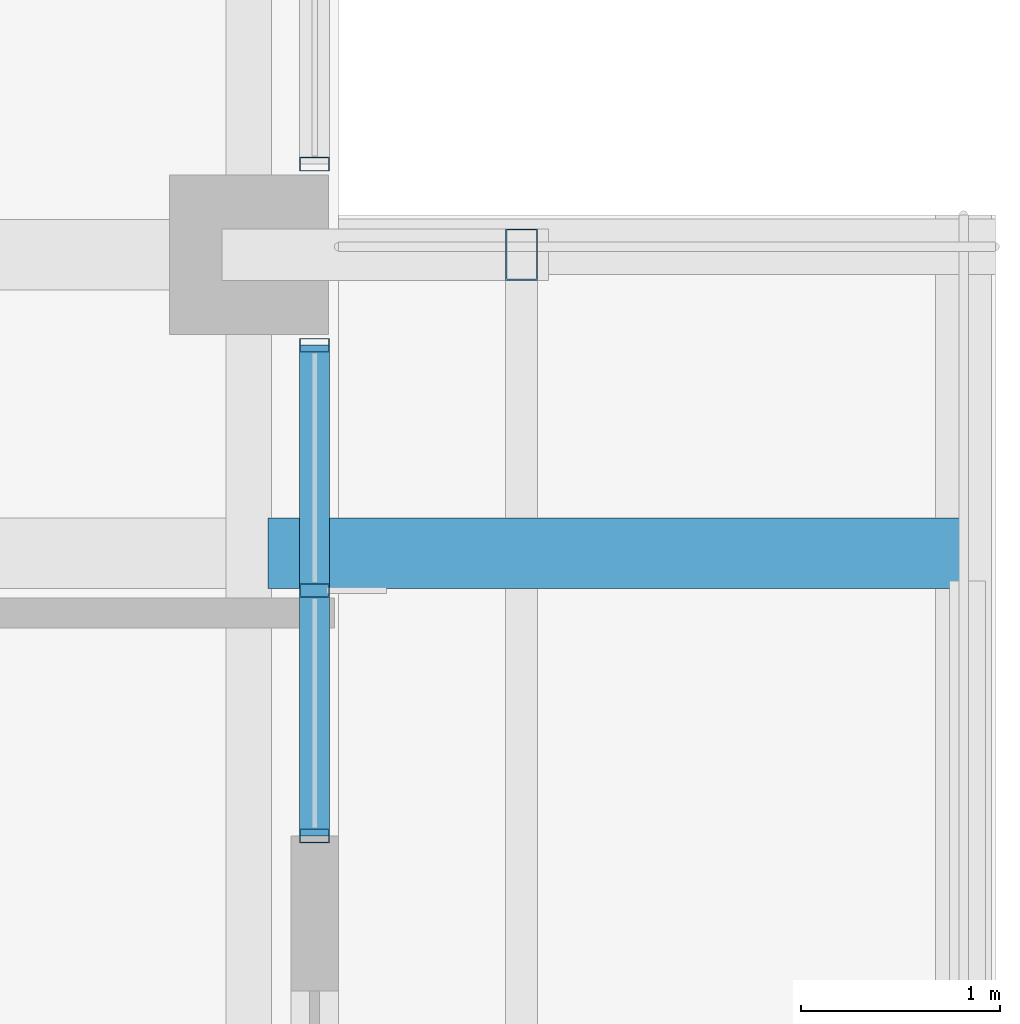
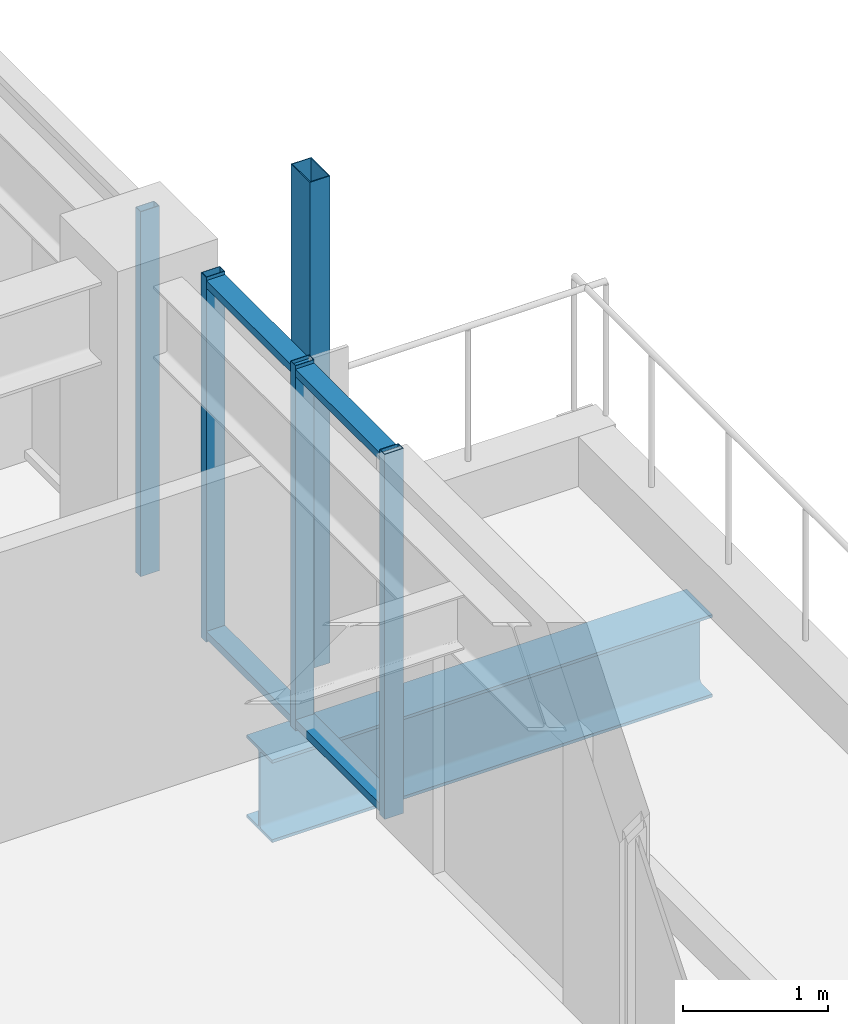
# One storey, part 16 of 38: 7 members, 1 beam, 2 elements without a shape of their own.
"""IFC4 building model written with IfcOpenShell, lengths in metres."""

from ifc_helpers import new_model, si_unit, direction, frame, origin, origin_2d, place, context, subcontext, project, spatial, hollow_rectangle, i_section, extrude, material, material_profile, profile_set, type_object, element, aggregate, save


model = new_model("IFC4")

# Units and contexts
model_context = context("Model", 3, precision=1e-05, world=origin(), true_north=direction((0.0, 1.0)))
body_context = subcontext(model_context, "Body", "Model", "MODEL_VIEW")
ifc_project = project(units=[si_unit("LENGTHUNIT", "METRE"), si_unit("AREAUNIT", "SQUARE_METRE"), si_unit("VOLUMEUNIT", "CUBIC_METRE"), si_unit("PLANEANGLEUNIT", "RADIAN"), si_unit("MASSUNIT", "GRAM", prefix="KILO")], contexts=[model_context])

# Site, building, storey
site_placement = place(None, origin())
site = spatial("IfcSite", under=ifc_project, at=site_placement, CompositionType="ELEMENT")
building_placement = place(site_placement, origin())
building = spatial("IfcBuilding", under=site, at=building_placement, Name="Kolvaren Belvedere", CompositionType="ELEMENT")
storey_placement = place(building_placement, frame((0.0, 0.0, 206.39990234375)))
storey = spatial("IfcBuildingStorey", under=building, at=storey_placement, Name="L60", CompositionType="ELEMENT", Elevation=206.39990234375)

# Beam
ifc_material_1 = material(Name="Structural steel ASTM A992 Grade 50", Category="steel")
ifc_material_profile_1 = material_profile(ifc_material_1, i_section(OverallWidth=0.35498046875, OverallDepth=0.696044921875, WebThickness=0.015380859375, FlangeThickness=0.02490234375, FilletRadius=0.02197265625, at=origin_2d()), Name="W27X146")
ifc_profile_set_1 = profile_set([ifc_material_profile_1], Name="Structural steel ASTM A992 Grade 50")
beam_type = type_object("IfcBeamType", Name="BM-CANT-BAL", PredefinedType="BEAM", material=ifc_profile_set_1)
beam_placement = place(storey_placement, frame((20.044921875, 3.10009765625, -0.56787109375), z_axis=(1.0, 0.0, 0.0), x_axis=(0.0, 1.0, 0.0)))
element("IfcBeam", 1, at=beam_placement, inside=storey, type_object=beam_type, Name="L60 Planted Balcony Cantilever SPIRAL-09-E-2", PredefinedType="BEAM", context=body_context, shape_type="SweptSolid", body=[
    extrude(i_section(OverallWidth=0.35498046875, OverallDepth=0.696044921875, WebThickness=0.015380859375, FlangeThickness=0.02490234375, FilletRadius=0.02197265625, at=origin_2d()), origin(), (0.0, 0.0, 1.0), 3.51513671875),
])

# Curtain wall, member
ifc_material_2 = material(Name="Anodised pale-metal aluminium AA 6063-T6", Category="aluminium")
curtain_wall_type = type_object("IfcCurtainWallType", Name="CW-Z5-HIGH", PredefinedType="NOTDEFINED", material=ifc_material_2)
curtain_wall_1_placement = place(storey_placement, origin())
curtain_wall_1 = element("IfcCurtainWall", 2, at=curtain_wall_1_placement, inside=storey, type_object=curtain_wall_type, Name="L60 Unitised Curtain Wall FCW-L60-E1-B1", PredefinedType="NOTDEFINED")
ifc_material_3 = material(Name="Anodised pale-metal aluminium AA 6063-T6", Category="aluminium")
ifc_material_profile_2 = material_profile(ifc_material_3, hollow_rectangle(XDim=0.070068359375, YDim=0.14990234375, WallThickness=0.004150390625, at=origin_2d()), Name="ALU-MUL-150X70")
ifc_profile_set_2 = profile_set([ifc_material_profile_2], Name="Anodised pale-metal aluminium AA 6063-T6")
member_type_1 = type_object("IfcMemberType", Name="CW-MUL-150", PredefinedType="MULLION", material=ifc_profile_set_2)
member_1_placement = place(storey_placement, frame((20.280029296875, 5.054931640625, 0.0), z_axis=(0.0, 0.0, 1.0), x_axis=(0.0, 1.0, 0.0)))
member_1 = element("IfcMember", 3, at=member_1_placement, type_object=member_type_1, Name="FCW-L60-E1-B1 Unitised Mullion 3", PredefinedType="MULLION", context=body_context, shape_type="SweptSolid", body=[
    extrude(hollow_rectangle(XDim=0.070068359375, YDim=0.14990234375, WallThickness=0.004150390625, at=origin_2d()), origin(), (0.0, 0.0, 1.0), 3.080078125),
])
aggregate(curtain_wall_1, [member_1])

# Curtain wall, members
curtain_wall_2_placement = place(storey_placement, origin())
curtain_wall_2 = element("IfcCurtainWall", 4, at=curtain_wall_2_placement, inside=storey, type_object=curtain_wall_type, Name="L60 Unitised Curtain Wall FCW-L60-E1-B2", PredefinedType="NOTDEFINED")
member_2_placement = place(storey_placement, frame((20.280029296875, 4.14501953125, 0.0), z_axis=(0.0, 0.0, 1.0), x_axis=(0.0, 1.0, 0.0)))
member_2 = element("IfcMember", 5, at=member_2_placement, type_object=member_type_1, Name="FCW-L60-E1-B2 Unitised Mullion 1", PredefinedType="MULLION", context=body_context, shape_type="SweptSolid", body=[
    extrude(hollow_rectangle(XDim=0.070068359375, YDim=0.14990234375, WallThickness=0.004150390625, at=origin_2d()), origin(), (0.0, 0.0, 1.0), 3.080078125),
])
member_3_placement = place(storey_placement, frame((20.280029296875, 2.91259765625, 0.0), z_axis=(0.0, 0.0, 1.0), x_axis=(0.0, 1.0, 0.0)))
member_3 = element("IfcMember", 6, at=member_3_placement, type_object=member_type_1, Name="FCW-L60-E1-B2 Unitised Mullion 2", PredefinedType="MULLION", context=body_context, shape_type="SweptSolid", body=[
    extrude(hollow_rectangle(XDim=0.070068359375, YDim=0.14990234375, WallThickness=0.004150390625, at=origin_2d()), origin(), (0.0, 0.0, 1.0), 3.080078125),
])
member_4_placement = place(storey_placement, frame((20.280029296875, 1.679931640625, 0.0), z_axis=(0.0, 0.0, 1.0), x_axis=(0.0, 1.0, 0.0)))
member_4 = element("IfcMember", 7, at=member_4_placement, type_object=member_type_1, Name="FCW-L60-E1-B2 Unitised Mullion 3", PredefinedType="MULLION", context=body_context, shape_type="SweptSolid", body=[
    extrude(hollow_rectangle(XDim=0.070068359375, YDim=0.14990234375, WallThickness=0.004150390625, at=origin_2d()), origin(), (0.0, 0.0, 1.0), 3.080078125),
])
ifc_material_4 = material(Name="Anodised pale-metal aluminium AA 6063-T6", Category="aluminium")
ifc_material_profile_3 = material_profile(ifc_material_4, hollow_rectangle(XDim=0.06494140625, YDim=0.14990234375, WallThickness=0.00390625, at=origin_2d()), Name="ALU-TRN-150X65")
ifc_profile_set_3 = profile_set([ifc_material_profile_3], Name="Anodised pale-metal aluminium AA 6063-T6")
member_type_2 = type_object("IfcMemberType", Name="CW-TRN-150", PredefinedType="USERDEFINED", material=ifc_profile_set_3)
member_5_placement = place(storey_placement, frame((20.280029296875, 4.14501953125, 0.06005859375), z_axis=(0.0, -1.0, 0.0), x_axis=(0.0, 0.0, 1.0)))
member_5 = element("IfcMember", 8, at=member_5_placement, type_object=member_type_2, Name="FCW-L60-E1-B2 Sill Transom", ObjectType="TRANSOM", PredefinedType="USERDEFINED", context=body_context, shape_type="SweptSolid", body=[
    extrude(hollow_rectangle(XDim=0.06494140625, YDim=0.14990234375, WallThickness=0.00390625, at=origin_2d()), origin(), (0.0, 0.0, 1.0), 2.465087890625),
])
member_6_placement = place(storey_placement, frame((20.280029296875, 4.14501953125, 3.02001953125), z_axis=(0.0, -1.0, 0.0), x_axis=(0.0, 0.0, 1.0)))
member_6 = element("IfcMember", 9, at=member_6_placement, type_object=member_type_2, Name="FCW-L60-E1-B2 Head Transom", ObjectType="TRANSOM", PredefinedType="USERDEFINED", context=body_context, shape_type="SweptSolid", body=[
    extrude(hollow_rectangle(XDim=0.06494140625, YDim=0.14990234375, WallThickness=0.00390625, at=origin_2d()), origin(), (0.0, 0.0, 1.0), 2.465087890625),
])
aggregate(curtain_wall_2, [member_2, member_3, member_4, member_5, member_6])

# Member
ifc_material_5 = material(Name="Anodised pale-metal aluminium AA 6063-T6", Category="aluminium")
ifc_material_profile_4 = material_profile(ifc_material_5, hollow_rectangle(XDim=0.159912109375, YDim=0.260009765625, WallThickness=0.006591796875, at=origin_2d()), Name="ALU-PF-260X160")
ifc_profile_set_4 = profile_set([ifc_material_profile_4], Name="Anodised pale-metal aluminium AA 6063-T6")
member_type_3 = type_object("IfcMemberType", Name="PF-FRAME-260", PredefinedType="USERDEFINED", material=ifc_profile_set_4)
member_7_placement = place(storey_placement, frame((21.320068359375, 4.60009765625, -0.809814453125), z_axis=(0.0, 0.0, 1.0), x_axis=(1.0, 0.0, 0.0)))
element("IfcMember", 10, at=member_7_placement, inside=storey, type_object=member_type_3, Name="L60 Outboard Picture-Frame Vertical E1", ObjectType="PICTURE FRAME FIN", PredefinedType="USERDEFINED", context=body_context, shape_type="SweptSolid", body=[
    extrude(hollow_rectangle(XDim=0.159912109375, YDim=0.260009765625, WallThickness=0.006591796875, at=origin_2d()), origin(), (0.0, 0.0, 1.0), 4.10986328125),
])

save(model, "model.ifc")
